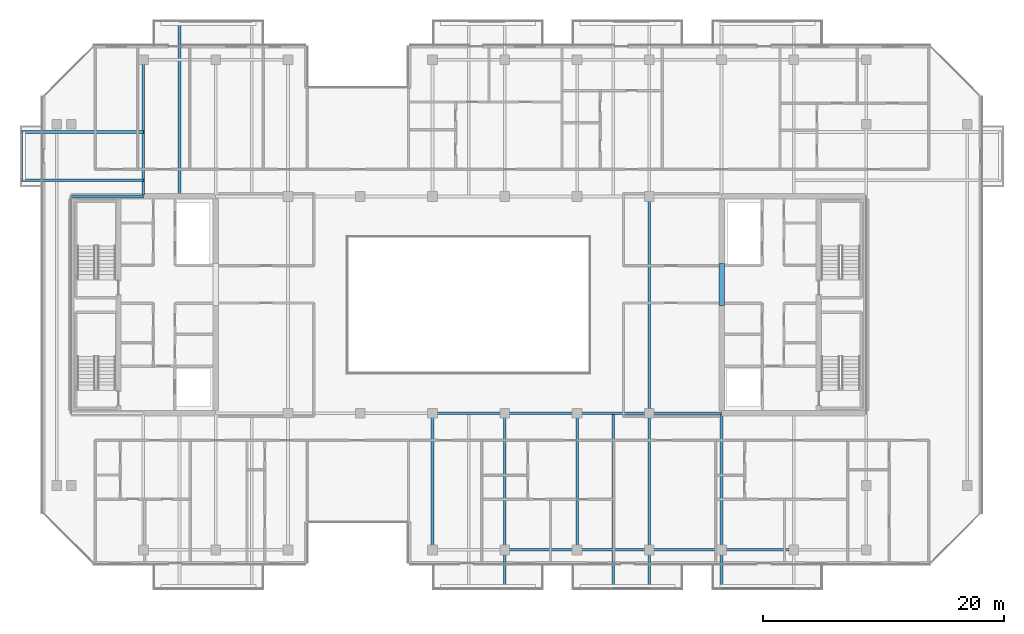
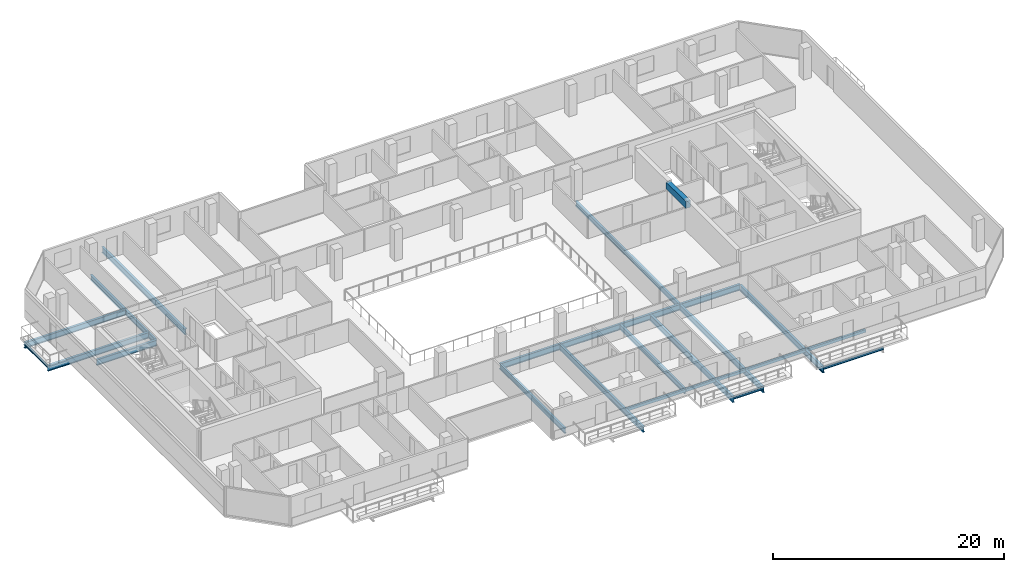
# One storey, part 7 of 29: 24 beams.
"""IFC4 building model written with IfcOpenShell, lengths in metres."""

from ifc_helpers import new_model, si_unit, direction, frame, origin, origin_2d, place, context, subcontext, project, spatial, rectangle, hollow_rectangle, i_section, extrude, material, material_profile, profile_set, type_object, element, save


model = new_model("IFC4")

# Units and contexts
model_context = context("Model", 3, precision=1e-05, world=origin(), true_north=direction((0.0, 1.0)))
body_context = subcontext(model_context, "Body", "Model", "MODEL_VIEW")
ifc_project = project(units=[si_unit("LENGTHUNIT", "METRE"), si_unit("AREAUNIT", "SQUARE_METRE"), si_unit("VOLUMEUNIT", "CUBIC_METRE"), si_unit("PLANEANGLEUNIT", "RADIAN"), si_unit("MASSUNIT", "GRAM", prefix="KILO")], contexts=[model_context])

# Site, building, storey
site_placement = place(None, origin())
site = spatial("IfcSite", under=ifc_project, at=site_placement, CompositionType="ELEMENT")
building_placement = place(site_placement, origin())
building = spatial("IfcBuilding", under=site, at=building_placement, Name="Tanjung Sevakor Pilgrim Tower", CompositionType="ELEMENT")
storey_placement = place(building_placement, frame((0.0, 0.0, 188.429931640625)))
storey = spatial("IfcBuildingStorey", under=building, at=storey_placement, Name="L52", CompositionType="ELEMENT", Elevation=188.429931640625)

# Beams
ifc_material_1 = material(Name="Steel S355J2", Category="steel")
ifc_material_profile_1 = material_profile(ifc_material_1, i_section(OverallWidth=0.22900390625, OverallDepth=0.6123046875, WebThickness=0.011962890625, FlangeThickness=0.01953125, FilletRadius=0.0126953125, at=origin_2d()))
ifc_profile_set_1 = profile_set([ifc_material_profile_1], Name="Steel S355J2")
beam_type_1 = type_object("IfcBeamType", Name="BM-B-G4-UB_610x229x125", PredefinedType="BEAM", material=ifc_profile_set_1)
for number, where, z_axis, x_axis, name in (
    (1, (30.0, 43.949951171875, -0.526123046875), (-1.0, 0.0, 0.0), (0.0, -1.0, 0.0), "L52 Balcony Overhanging Beam MAIN-W1-1"),
    (2, (30.0, 47.949951171875, -0.526123046875), (-1.0, 0.0, 0.0), (0.0, -1.0, 0.0), "L52 Balcony Overhanging Beam MAIN-W1-2"),
):
    element("IfcBeam", number, at=place(storey_placement, frame(where, z_axis=z_axis, x_axis=x_axis)), inside=storey, type_object=beam_type_1, Name=name, PredefinedType="BEAM", context=body_context, shape_type="SweptSolid", body=[
        extrude(i_section(OverallWidth=0.22900390625, OverallDepth=0.6123046875, WebThickness=0.011962890625, FlangeThickness=0.01953125, FilletRadius=0.0126953125, at=origin_2d()), origin(), (0.0, 0.0, 1.0), 10.1298828125),
    ])
for number, where, z_axis, x_axis, name in (
    (3, (54.0, 24.60009765625, -0.526123046875), (1.0, 0.0, 0.0), (0.0, 1.0, 0.0), "L52 Primary Floor Girder MAIN Y246-05"),
    (4, (60.0, 24.60009765625, -0.526123046875), (1.0, 0.0, 0.0), (0.0, 1.0, 0.0), "L52 Primary Floor Girder MAIN Y246-06"),
    (5, (66.0, 24.60009765625, -0.526123046875), (1.0, 0.0, 0.0), (0.0, 1.0, 0.0), "L52 Primary Floor Girder MAIN Y246-07"),
    (6, (72.0, 24.60009765625, -0.526123046875), (1.0, 0.0, 0.0), (0.0, 1.0, 0.0), "L52 Primary Floor Girder MAIN Y246-08"),
    (7, (24.0, 42.60009765625, -0.526123046875), (1.0, 0.0, 0.0), (0.0, 1.0, 0.0), "L52 Primary Floor Girder MAIN Y426-01"),
):
    element("IfcBeam", number, at=place(storey_placement, frame(where, z_axis=z_axis, x_axis=x_axis)), inside=storey, type_object=beam_type_1, Name=name, PredefinedType="BEAM", context=body_context, shape_type="SweptSolid", body=[
        extrude(i_section(OverallWidth=0.22900390625, OverallDepth=0.6123046875, WebThickness=0.011962890625, FlangeThickness=0.01953125, FilletRadius=0.0126953125, at=origin_2d()), origin(), (0.0, 0.0, 1.0), 6.0),
    ])
beam_1_placement = place(storey_placement, frame((33.0, 42.714599609375, -0.526123046875), z_axis=(0.0, 1.0, 0.0), x_axis=(-1.0, 0.0, 0.0)))
element("IfcBeam", 8, at=beam_1_placement, inside=storey, type_object=beam_type_1, Name="L52 Balcony Cantilever Beam MAIN-N1-1", PredefinedType="BEAM", context=body_context, shape_type="SweptSolid", body=[
    extrude(i_section(OverallWidth=0.22900390625, OverallDepth=0.6123046875, WebThickness=0.011962890625, FlangeThickness=0.01953125, FilletRadius=0.0126953125, at=origin_2d()), origin(), (0.0, 0.0, 1.0), 14.415283203125),
])
beam_2_placement = place(storey_placement, frame((60.0, 24.60009765625, -0.526123046875), z_axis=(0.0, -1.0, 0.0), x_axis=(1.0, 0.0, 0.0)))
element("IfcBeam", 9, at=beam_2_placement, inside=storey, type_object=beam_type_1, Name="L52 Balcony Cantilever Beam MAIN-S2-2", PredefinedType="BEAM", context=body_context, shape_type="SweptSolid", body=[
    extrude(i_section(OverallWidth=0.22900390625, OverallDepth=0.6123046875, WebThickness=0.011962890625, FlangeThickness=0.01953125, FilletRadius=0.0126953125, at=origin_2d()), origin(), (0.0, 0.0, 1.0), 14.530029296875),
])
beam_3_placement = place(storey_placement, frame((69.0, 24.485595703125, -0.526123046875), z_axis=(0.0, -1.0, 0.0), x_axis=(1.0, 0.0, 0.0)))
element("IfcBeam", 10, at=beam_3_placement, inside=storey, type_object=beam_type_1, Name="L52 Balcony Cantilever Beam MAIN-S3-1", PredefinedType="BEAM", context=body_context, shape_type="SweptSolid", body=[
    extrude(i_section(OverallWidth=0.22900390625, OverallDepth=0.6123046875, WebThickness=0.011962890625, FlangeThickness=0.01953125, FilletRadius=0.0126953125, at=origin_2d()), origin(), (0.0, 0.0, 1.0), 14.41552734375),
])
beam_4_placement = place(storey_placement, frame((72.0, 24.60009765625, -0.526123046875), z_axis=(0.0, -1.0, 0.0), x_axis=(1.0, 0.0, 0.0)))
element("IfcBeam", 11, at=beam_4_placement, inside=storey, type_object=beam_type_1, Name="L52 Balcony Cantilever Beam MAIN-S3-2", PredefinedType="BEAM", context=body_context, shape_type="SweptSolid", body=[
    extrude(i_section(OverallWidth=0.22900390625, OverallDepth=0.6123046875, WebThickness=0.011962890625, FlangeThickness=0.01953125, FilletRadius=0.0126953125, at=origin_2d()), origin(), (0.0, 0.0, 1.0), 14.530029296875),
])
beam_5_placement = place(storey_placement, frame((78.0, 24.485595703125, -0.526123046875), z_axis=(0.0, -1.0, 0.0), x_axis=(1.0, 0.0, 0.0)))
element("IfcBeam", 12, at=beam_5_placement, inside=storey, type_object=beam_type_1, Name="L52 Balcony Cantilever Beam MAIN-S4-1", PredefinedType="BEAM", context=body_context, shape_type="SweptSolid", body=[
    extrude(i_section(OverallWidth=0.22900390625, OverallDepth=0.6123046875, WebThickness=0.011962890625, FlangeThickness=0.01953125, FilletRadius=0.0126953125, at=origin_2d()), origin(), (0.0, 0.0, 1.0), 14.41552734375),
])
ifc_material_2 = material(Name="Steel S355J2", Category="steel")
ifc_material_profile_2 = material_profile(ifc_material_2, i_section(OverallWidth=0.2119140625, OverallDepth=0.54443359375, WebThickness=0.0126953125, FlangeThickness=0.021240234375, FilletRadius=0.0126953125, at=origin_2d()))
ifc_profile_set_2 = profile_set([ifc_material_profile_2], Name="Steel S355J2")
beam_type_2 = type_object("IfcBeamType", Name="BM-B-G5-UB_533x210x122", PredefinedType="BEAM", material=ifc_profile_set_2)
beam_6_placement = place(storey_placement, frame((30.0, 42.714599609375, -0.4921875), z_axis=(0.0, 1.0, 0.0), x_axis=(-1.0, 0.0, 0.0)))
element("IfcBeam", 13, at=beam_6_placement, inside=storey, type_object=beam_type_2, Name="L52 MAIN Girder 002", PredefinedType="BEAM", context=body_context, shape_type="SweptSolid", body=[
    extrude(i_section(OverallWidth=0.2119140625, OverallDepth=0.54443359375, WebThickness=0.0126953125, FlangeThickness=0.021240234375, FilletRadius=0.0126953125, at=origin_2d()), origin(), (0.0, 0.0, 1.0), 11.2353515625),
])
for number, where, z_axis, x_axis, name in (
    (14, (54.0, 13.25, -0.4921875), (0.0, 1.0, 0.0), (-1.0, 0.0, 0.0), "L52 MAIN Girder 008"),
    (15, (66.0, 13.25, -0.4921875), (0.0, 1.0, 0.0), (-1.0, 0.0, 0.0), "L52 MAIN Girder 010"),
):
    element("IfcBeam", number, at=place(storey_placement, frame(where, z_axis=z_axis, x_axis=x_axis)), inside=storey, type_object=beam_type_2, Name=name, PredefinedType="BEAM", context=body_context, shape_type="SweptSolid", body=[
        extrude(i_section(OverallWidth=0.2119140625, OverallDepth=0.54443359375, WebThickness=0.0126953125, FlangeThickness=0.021240234375, FilletRadius=0.0126953125, at=origin_2d()), origin(), (0.0, 0.0, 1.0), 11.35009765625),
    ])
beam_7_placement = place(storey_placement, frame((72.0, 24.60009765625, -0.4921875), z_axis=(0.0, 1.0, 0.0), x_axis=(-1.0, 0.0, 0.0)))
element("IfcBeam", 16, at=beam_7_placement, inside=storey, type_object=beam_type_2, Name="L52 MAIN Girder 012", PredefinedType="BEAM", context=body_context, shape_type="SweptSolid", body=[
    extrude(i_section(OverallWidth=0.2119140625, OverallDepth=0.54443359375, WebThickness=0.0126953125, FlangeThickness=0.021240234375, FilletRadius=0.0126953125, at=origin_2d()), origin(), (0.0, 0.0, 1.0), 18.0),
])
ifc_material_3 = material(Name="Steel S355J2", Category="steel")
ifc_material_profile_3 = material_profile(ifc_material_3, i_section(OverallWidth=0.146484375, OverallDepth=0.256103515625, WebThickness=0.00634765625, FlangeThickness=0.010986328125, FilletRadius=0.007568359375, at=origin_2d()))
ifc_profile_set_3 = profile_set([ifc_material_profile_3], Name="Steel S355J2")
beam_type_3 = type_object("IfcBeamType", Name="BM-B-J6-UB_254x146x37", PredefinedType="JOIST", material=ifc_profile_set_3)
beam_8_placement = place(storey_placement, frame((69.0, 10.070068359375, -0.327880859375), z_axis=(1.0, 0.0, 0.0), x_axis=(0.0, 1.0, 0.0)))
element("IfcBeam", 17, at=beam_8_placement, inside=storey, type_object=beam_type_3, Name="L52 Balcony Rim Tie MAIN-S3", PredefinedType="JOIST", context=body_context, shape_type="SweptSolid", body=[
    extrude(i_section(OverallWidth=0.146484375, OverallDepth=0.256103515625, WebThickness=0.00634765625, FlangeThickness=0.010986328125, FilletRadius=0.007568359375, at=origin_2d()), origin(), (0.0, 0.0, 1.0), 3.0),
])
beam_9_placement = place(storey_placement, frame((78.0, 10.070068359375, -0.327880859375), z_axis=(1.0, 0.0, 0.0), x_axis=(0.0, 1.0, 0.0)))
element("IfcBeam", 18, at=beam_9_placement, inside=storey, type_object=beam_type_3, Name="L52 Balcony Rim Tie MAIN-S4", PredefinedType="JOIST", context=body_context, shape_type="SweptSolid", body=[
    extrude(i_section(OverallWidth=0.146484375, OverallDepth=0.256103515625, WebThickness=0.00634765625, FlangeThickness=0.010986328125, FilletRadius=0.007568359375, at=origin_2d()), origin(), (0.0, 0.0, 1.0), 6.0),
])
beam_10_placement = place(storey_placement, frame((19.8701171875, 43.949951171875, -0.327880859375), z_axis=(0.0, 1.0, 0.0), x_axis=(-1.0, 0.0, 0.0)))
element("IfcBeam", 19, at=beam_10_placement, inside=storey, type_object=beam_type_3, Name="L52 Balcony Rim Tie MAIN-W1", PredefinedType="JOIST", context=body_context, shape_type="SweptSolid", body=[
    extrude(i_section(OverallWidth=0.146484375, OverallDepth=0.256103515625, WebThickness=0.00634765625, FlangeThickness=0.010986328125, FilletRadius=0.007568359375, at=origin_2d()), origin(), (0.0, 0.0, 1.0), 4.0),
])
ifc_material_4 = material(Name="Concrete C60/75", Category="concrete")
ifc_material_profile_4 = material_profile(ifc_material_4, rectangle(XDim=0.449951171875, YDim=0.699951171875, at=origin_2d()))
ifc_profile_set_4 = profile_set([ifc_material_profile_4], Name="Concrete C60/75")
beam_type_4 = type_object("IfcBeamType", Name="BM-B-LN3-RC-BM_450x700", PredefinedType="LINTEL", material=ifc_profile_set_4)
beam_11_placement = place(storey_placement, frame((78.0, 33.550048828125, 2.72998046875), z_axis=(0.0, 1.0, 0.0), x_axis=(-1.0, 0.0, 0.0)))
element("IfcBeam", 20, at=beam_11_placement, inside=storey, type_object=beam_type_4, Name="L52 E Core Coupling Lintel", PredefinedType="LINTEL", context=body_context, shape_type="SweptSolid", body=[
    extrude(rectangle(XDim=0.449951171875, YDim=0.699951171875, at=origin_2d()), origin(), (0.0, 0.0, 1.0), 3.5),
])
ifc_material_5 = material(Name="Steel S355J2", Category="steel")
ifc_material_profile_5 = material_profile(ifc_material_5, hollow_rectangle(XDim=0.199951171875, YDim=0.300048828125, WallThickness=0.012451171875, at=origin_2d()))
ifc_profile_set_5 = profile_set([ifc_material_profile_5], Name="Steel S355J2")
beam_type_5 = type_object("IfcBeamType", Name="BM-B-SP3-RHS_300x200x12.5", PredefinedType="SPANDREL", material=ifc_profile_set_5)
for number, where, z_axis, x_axis, name in (
    (21, (60.0, 13.25, -0.369873046875), (1.0, 0.0, 0.0), (0.0, 1.0, 0.0), "L52 Spandrel MAIN S-07"),
    (22, (66.0, 13.25, -0.369873046875), (1.0, 0.0, 0.0), (0.0, 1.0, 0.0), "L52 Spandrel MAIN S-09"),
    (23, (72.0, 13.25, -0.369873046875), (1.0, 0.0, 0.0), (0.0, 1.0, 0.0), "L52 Spandrel MAIN S-11"),
    (24, (78.0, 13.25, -0.369873046875), (1.0, 0.0, 0.0), (0.0, 1.0, 0.0), "L52 Spandrel MAIN S-13"),
):
    element("IfcBeam", number, at=place(storey_placement, frame(where, z_axis=z_axis, x_axis=x_axis)), inside=storey, type_object=beam_type_5, Name=name, PredefinedType="SPANDREL", context=body_context, shape_type="SweptSolid", body=[
        extrude(hollow_rectangle(XDim=0.199951171875, YDim=0.300048828125, WallThickness=0.012451171875, at=origin_2d()), origin(), (0.0, 0.0, 1.0), 6.0),
    ])

save(model, "model.ifc")
